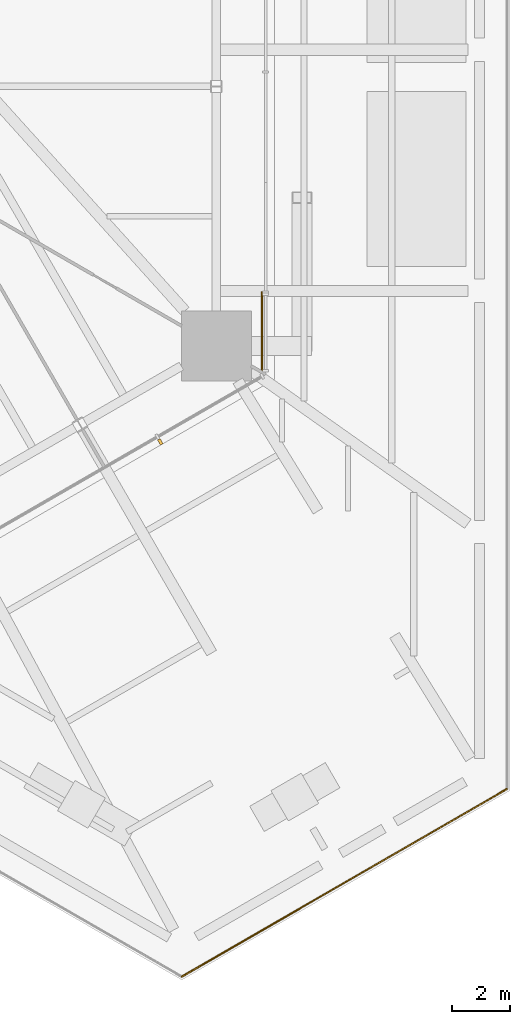
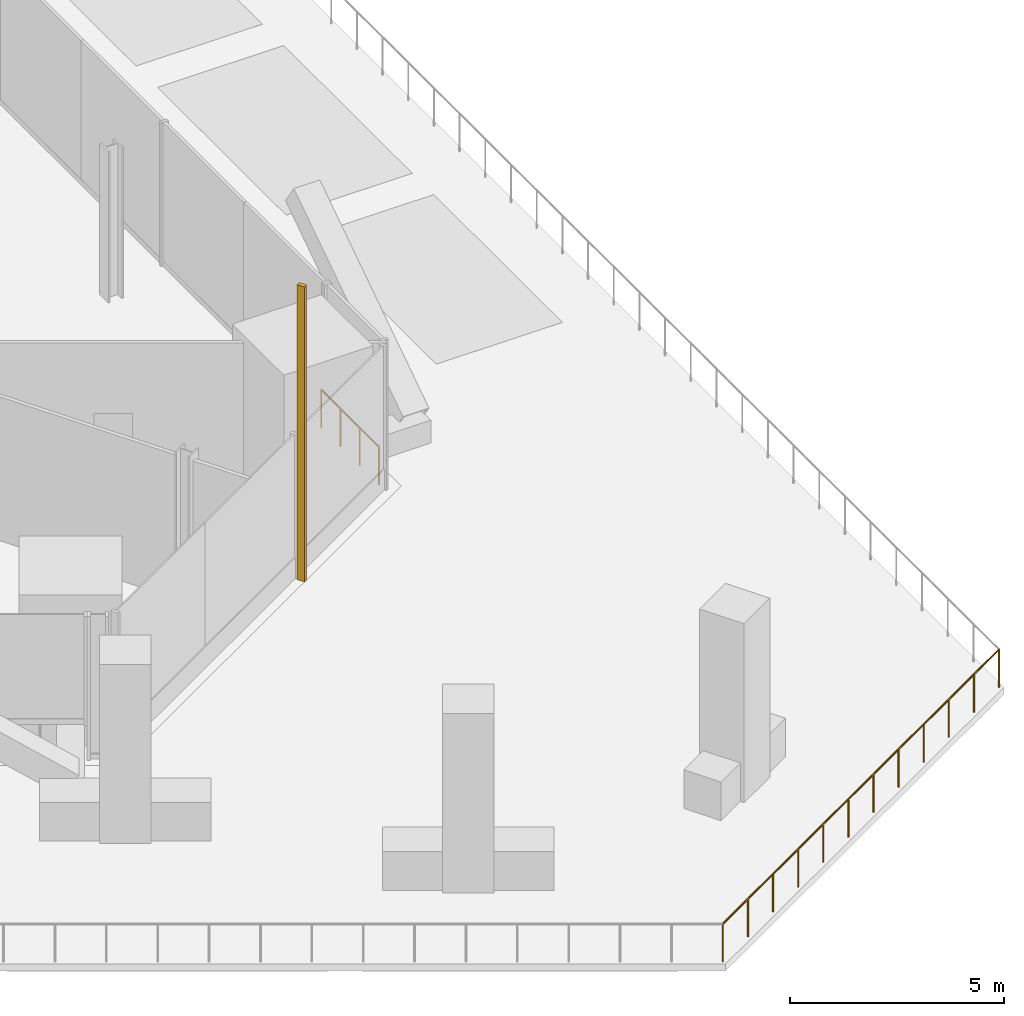
# One storey, part 33 of 38: 2 railings, 1 shading device.
"""IFC4 building model written with IfcOpenShell, lengths in metres."""

import ifcopenshell
import ifcopenshell.guid

model = None  # the IFC model being written
_history = None  # IfcOwnerHistory: only IFC2X3 demands one
_inside = {}  # id of a spatial element -> (the spatial element, [elements in it])
_under = {}  # id of a project, library or spatial element -> (it, [spatial elements below it])
_declared = {}  # id of a project -> (the project, [libraries it declares])
_typed = {}  # id of a type object -> (the type object, [elements of that type])
_made_of = {}  # id of a material, layer set ... -> (it, [elements and type objects made of it])


def new_model(schema):
    """Start an empty IFC model of exactly this schema.

    Asked for "IFC4X3", IfcOpenShell would pick the latest addendum, in which some entities
    have other attributes; the version numbers below select the first issue.
    IFC2X3 requires an IfcOwnerHistory on every rooted entity: one is made here for all.
    """
    global model, _history
    if schema == "IFC4X3":
        model = ifcopenshell.file(schema_version=(4, 3, 0, 0))
    else:
        model = ifcopenshell.file(schema=schema)
    _inside.clear()
    _under.clear()
    _declared.clear()
    _typed.clear()
    _made_of.clear()
    _history = None
    if model.schema == "IFC2X3":
        org = make("IfcOrganization", Name="unknown")
        user = make(
            "IfcPersonAndOrganization",
            ThePerson=make("IfcPerson", FamilyName="unknown"),
            TheOrganization=org,
        )
        app = make(
            "IfcApplication",
            ApplicationDeveloper=org,
            Version="unknown",
            ApplicationFullName="unknown",
            ApplicationIdentifier="unknown",
        )
        _history = make(
            "IfcOwnerHistory",
            OwningUser=user,
            OwningApplication=app,
            ChangeAction="ADDED",
            CreationDate=0,
        )
    return model


def make(cls, **values):
    """One entity of the class cls with the attributes given. An attribute that is None is left unset."""
    return model.create_entity(
        cls, **{name: value for name, value in values.items() if value is not None}
    )


def rooted(cls, **values):
    """An entity with a GlobalId (a new one), such as an element, a storey or a relation."""
    return make(cls, GlobalId=ifcopenshell.guid.new(), OwnerHistory=_history, **values)


def si_unit(unit_type, name, prefix=None):
    """IfcSIUnit, for example si_unit("LENGTHUNIT", "METRE", prefix="MILLI")."""
    return make("IfcSIUnit", UnitType=unit_type, Prefix=prefix, Name=name)


def assignment(units):
    """IfcUnitAssignment: the units of a project."""
    return None if units is None else make("IfcUnitAssignment", Units=units)


def point(xyz):
    """IfcCartesianPoint."""
    return None if xyz is None else make("IfcCartesianPoint", Coordinates=xyz)


def direction(xyz):
    """IfcDirection."""
    return None if xyz is None else make("IfcDirection", DirectionRatios=xyz)


def frame(location, z_axis=None, x_axis=None):
    """IfcAxis2Placement3D, a coordinate frame: its origin and axes. An axis left out is left unset."""
    return make(
        "IfcAxis2Placement3D",
        Location=point(location),
        Axis=direction(z_axis),
        RefDirection=direction(x_axis),
    )


def frame_2d(location, x_axis=None):
    """IfcAxis2Placement2D, a coordinate frame in the plane: its origin and x axis."""
    return make(
        "IfcAxis2Placement2D", Location=point(location), RefDirection=direction(x_axis)
    )


def origin():
    """The frame at (0, 0, 0) with its axes left unset."""
    return frame((0.0, 0.0, 0.0))


def origin_2d():
    """The frame at (0, 0) in the plane with its x axis left unset."""
    return frame_2d((0.0, 0.0))


def place(relative_to, where):
    """IfcLocalPlacement: puts the frame where relative to a parent placement (None: the world)."""
    return make(
        "IfcLocalPlacement", PlacementRelTo=relative_to, RelativePlacement=where
    )


def context(
    kind, dimensions, precision=None, world=None, true_north=None, identifier=None
):
    """IfcGeometricRepresentationContext, for example the 3D "Model" context."""
    return make(
        "IfcGeometricRepresentationContext",
        ContextIdentifier=identifier,
        ContextType=kind,
        CoordinateSpaceDimension=dimensions,
        Precision=precision,
        WorldCoordinateSystem=world,
        TrueNorth=true_north,
    )


def subcontext(parent, identifier, kind, view, scale=None):
    """IfcGeometricRepresentationSubContext, for example "Body" below "Model"."""
    return make(
        "IfcGeometricRepresentationSubContext",
        ContextIdentifier=identifier,
        ContextType=kind,
        ParentContext=parent,
        TargetScale=scale,
        TargetView=view,
    )


def project(units=None, contexts=None):
    """IfcProject with its units and contexts."""
    return rooted(
        "IfcProject",
        Name="project",
        RepresentationContexts=contexts,
        UnitsInContext=assignment(units),
    )


def spatial(cls, under=None, at=None, **own):
    """A site, building, storey or space (cls), placed at a placement, below another one or the project."""
    s = rooted(cls, ObjectPlacement=at, **own)
    if under is not None:
        _under.setdefault(under.id(), (under, []))[1].append(s)
    return s


def profile(cls, at=None, kind="AREA", **sizes):
    """A parametric profile (cls). Its sizes go by their IFC names, for example OverallWidth=200.0."""
    return make(cls, ProfileType=kind, Position=at, **sizes)


def rectangle(**sizes):
    """IfcRectangleProfileDef."""
    return profile("IfcRectangleProfileDef", **sizes)


def circle(**sizes):
    """IfcCircleProfileDef."""
    return profile("IfcCircleProfileDef", **sizes)


def extrude(swept, where, along, depth):
    """IfcExtrudedAreaSolid: the profile swept, set in the frame where, extruded along a direction by depth."""
    return make(
        "IfcExtrudedAreaSolid",
        SweptArea=swept,
        Position=where,
        ExtrudedDirection=direction(along),
        Depth=depth,
    )


def shape(context_of_items, identifier, shape_type, items):
    """IfcShapeRepresentation: the items that make up one representation, for example the "Body"."""
    return make(
        "IfcShapeRepresentation",
        ContextOfItems=context_of_items,
        RepresentationIdentifier=identifier,
        RepresentationType=shape_type,
        Items=items,
    )


def source(mapping_origin, context_of_items, identifier, shape_type, items):
    """IfcRepresentationMap: a shape defined once, which mapped items show again and again."""
    return make(
        "IfcRepresentationMap",
        MappingOrigin=mapping_origin,
        MappedRepresentation=shape(context_of_items, identifier, shape_type, items),
    )


def transform(
    local_origin,
    x_axis=None,
    y_axis=None,
    z_axis=None,
    scale=None,
    scale2=None,
    scale3=None,
    uniform=True,
):
    """IfcCartesianTransformationOperator3D, or its non-uniform kind. x_axis, y_axis, z_axis: its Axis1, 2, 3."""
    if uniform:
        return make(
            "IfcCartesianTransformationOperator3D",
            Axis1=direction(x_axis),
            Axis2=direction(y_axis),
            LocalOrigin=point(local_origin),
            Scale=scale,
            Axis3=direction(z_axis),
        )
    return make(
        "IfcCartesianTransformationOperator3DnonUniform",
        Axis1=direction(x_axis),
        Axis2=direction(y_axis),
        LocalOrigin=point(local_origin),
        Scale=scale,
        Axis3=direction(z_axis),
        Scale2=scale2,
        Scale3=scale3,
    )


def mapped(mapping_source, mapping_target):
    """IfcMappedItem: shows the shape of a source again, moved by a transform."""
    return make(
        "IfcMappedItem", MappingSource=mapping_source, MappingTarget=mapping_target
    )


def material(Name=None, Category=None):
    """IfcMaterial."""
    return make("IfcMaterial", Name=Name, Category=Category)


def made_of(thing, what):
    """Note that an element or type object is made of a material, layer set ...; save() writes the relation."""
    if what is not None:
        _made_of.setdefault(what.id(), (what, []))[1].append(thing)
    return thing


def type_object(cls, material=None, **own):
    """A type object (cls), such as IfcWallType, which elements share."""
    return made_of(rooted(cls, **own), material)


def element(
    cls,
    number,
    at=None,
    inside=None,
    cuts=None,
    type_object=None,
    material=None,
    context=None,
    identifier="Body",
    shape_type=None,
    held_by="IfcProductDefinitionShape",
    body=None,
    shapes=None,
    **own,
):
    """One element of the class cls, such as IfcWall. Its Tag is "e" and its number.

    at: its placement. inside: the storey or other place that contains it. cuts: it is an
    opening in that element (IfcRelVoidsElement). A single representation is given by context,
    identifier, shape_type and body (its items); several are given by shapes. held_by: the class
    of the entity that holds the representations. save() writes the other relations.
    """
    e = rooted(cls, Tag="e%d" % number, ObjectPlacement=at, **own)
    if body is not None:
        shapes = [shape(context, identifier, shape_type, body)]
    if shapes is not None:
        e.Representation = make(held_by, Representations=shapes)
    if inside is not None:
        _inside.setdefault(inside.id(), (inside, []))[1].append(e)
    if cuts is not None:
        rooted(
            "IfcRelVoidsElement", RelatingBuildingElement=cuts, RelatedOpeningElement=e
        )
    if type_object is not None:
        _typed.setdefault(type_object.id(), (type_object, []))[1].append(e)
    return made_of(e, material)


def aggregate(whole, parts):
    """IfcRelAggregates: a whole, such as a stair, and the parts it consists of."""
    return rooted("IfcRelAggregates", RelatingObject=whole, RelatedObjects=parts)


def save(model, path):
    """Write the relations noted so far, then the file.

    IfcRelAggregates (storeys below a building ...), IfcRelContainedInSpatialStructure (elements
    in a storey), IfcRelDefinesByType, IfcRelAssociatesMaterial and IfcRelDeclares: one each for
    every whole, place, type object, material and project.
    """
    for whole, parts in _under.values():
        aggregate(whole, parts)
    for where, things in _inside.values():
        rooted(
            "IfcRelContainedInSpatialStructure",
            RelatedElements=things,
            RelatingStructure=where,
        )
    for kind, things in _typed.values():
        rooted("IfcRelDefinesByType", RelatedObjects=things, RelatingType=kind)
    for what, things in _made_of.values():
        rooted("IfcRelAssociatesMaterial", RelatedObjects=things, RelatingMaterial=what)
    for by, libraries in _declared.values():
        rooted("IfcRelDeclares", RelatingContext=by, RelatedDefinitions=libraries)
    model.write(path)


model = new_model("IFC4")

# Units and contexts
model_context = context("Model", 3, precision=1e-05, world=origin(), true_north=direction((0.0, 1.0)))
body_context = subcontext(model_context, "Body", "Model", "MODEL_VIEW")
ifc_project = project(units=[si_unit("LENGTHUNIT", "METRE"), si_unit("AREAUNIT", "SQUARE_METRE"), si_unit("VOLUMEUNIT", "CUBIC_METRE"), si_unit("PLANEANGLEUNIT", "RADIAN"), si_unit("MASSUNIT", "GRAM", prefix="KILO")], contexts=[model_context])

# Site, building, storey
site_placement = place(None, origin())
site = spatial("IfcSite", under=ifc_project, at=site_placement, CompositionType="ELEMENT")
building_placement = place(site_placement, origin())
building = spatial("IfcBuilding", under=site, at=building_placement, Name="Triune Harvest Tower", CompositionType="ELEMENT")
storey_placement = place(building_placement, frame((0.0, 0.0, 16.0)))
storey = spatial("IfcBuildingStorey", under=building, at=storey_placement, Name="L03", CompositionType="ELEMENT", Elevation=16.0)

# Railings
ifc_material_1 = material(Name="Steel ASTM A992 Gr 50", Category="steel")
railing_type_1 = type_object("IfcRailingType", Name="GD-1 terrace guard 1100", PredefinedType="GUARDRAIL", material=ifc_material_1)
railing_1_placement = place(storey_placement, frame((31.654296875, -41.9423828125, 0.0)))
element("IfcRailing", 1, at=railing_1_placement, inside=storey, type_object=railing_type_1, Name="Terrace guard 1", PredefinedType="GUARDRAIL", context=body_context, shape_type="SweptSolid", body=[
    extrude(circle(Radius=0.02392578125, at=origin_2d()), frame((0.0, 0.0, 1.076171875), z_axis=(-0.866031918802, -0.499988715489, 0.0), x_axis=(0.499988715489, -0.866031918802, 0.0)), (0.0, 0.0, 1.0), 12.884521484375),
    extrude(circle(Radius=0.02099609375, at=origin_2d()), origin(), (0.0, 0.0, 1.0), 1.052001953125),
    extrude(circle(Radius=0.02099609375, at=origin_2d()), frame((-1.014404296875, -0.585693359375, 0.0)), (0.0, 0.0, 1.0), 1.052001953125),
    extrude(circle(Radius=0.02099609375, at=origin_2d()), frame((-2.02880859375, -1.17138671875, 0.0)), (0.0, 0.0, 1.0), 1.052001953125),
    extrude(circle(Radius=0.02099609375, at=origin_2d()), frame((-3.043212890625, -1.7568359375, 0.0)), (0.0, 0.0, 1.0), 1.052001953125),
    extrude(circle(Radius=0.02099609375, at=origin_2d()), frame((-4.0576171875, -2.342529296875, 0.0)), (0.0, 0.0, 1.0), 1.052001953125),
    extrude(circle(Radius=0.02099609375, at=origin_2d()), frame((-5.072021484375, -2.92822265625, 0.0)), (0.0, 0.0, 1.0), 1.052001953125),
    extrude(circle(Radius=0.02099609375, at=origin_2d()), frame((-6.08642578125, -3.513916015625, 0.0)), (0.0, 0.0, 1.0), 1.052001953125),
    extrude(circle(Radius=0.02099609375, at=origin_2d()), frame((-7.100830078125, -4.099609375, 0.0)), (0.0, 0.0, 1.0), 1.052001953125),
    extrude(circle(Radius=0.02099609375, at=origin_2d()), frame((-8.115234375, -4.685302734375, 0.0)), (0.0, 0.0, 1.0), 1.052001953125),
    extrude(circle(Radius=0.02099609375, at=origin_2d()), frame((-9.129638671875, -5.270751953125, 0.0)), (0.0, 0.0, 1.0), 1.052001953125),
    extrude(circle(Radius=0.02099609375, at=origin_2d()), frame((-10.14404296875, -5.8564453125, 0.0)), (0.0, 0.0, 1.0), 1.052001953125),
    extrude(circle(Radius=0.02099609375, at=origin_2d()), frame((-11.158447265625, -6.442138671875, 0.0)), (0.0, 0.0, 1.0), 1.052001953125),
])
ifc_material_2 = material(Name="Glass", Category="glass")
railing_type_2 = type_object("IfcRailingType", Name="GD-3 facade guard 1100", PredefinedType="GUARDRAIL", material=ifc_material_2)
railing_2_placement = place(storey_placement, frame((23.247314453125, -27.579345703125, 0.0)))
element("IfcRailing", 2, at=railing_2_placement, inside=storey, type_object=railing_type_2, Name="Facade guard B1-F1 L03.1.1", PredefinedType="GUARDRAIL", context=body_context, shape_type="SweptSolid", body=[
    extrude(circle(Radius=0.02392578125, at=origin_2d()), frame((0.0, 0.0, 1.076171875), z_axis=(0.0, 1.0, 0.0), x_axis=(-1.0, 0.0, 0.0)), (0.0, 0.0, 1.0), 2.696044921875),
    extrude(circle(Radius=0.02099609375, at=origin_2d()), origin(), (0.0, 0.0, 1.0), 1.052001953125),
    extrude(circle(Radius=0.02099609375, at=origin_2d()), frame((0.0, 0.898681640625, 0.0)), (0.0, 0.0, 1.0), 1.052001953125),
    extrude(circle(Radius=0.02099609375, at=origin_2d()), frame((0.0, 1.79736328125, 0.0)), (0.0, 0.0, 1.0), 1.052001953125),
    extrude(circle(Radius=0.02099609375, at=origin_2d()), frame((0.0, 2.696044921875, 0.0)), (0.0, 0.0, 1.0), 1.052001953125),
])

# Shading device
ifc_material_3 = material(Name="Aluminium bronze anodised", Category="aluminium")
shared_shape = source(origin(), body_context, "Body", "SweptSolid", [
    extrude(rectangle(XDim=0.10009765625, YDim=0.199951171875, at=origin_2d()), origin(), (0.0, 0.0, 1.0), 8.39990234375),
])
shading_device_placement = place(storey_placement, frame((19.758056640625, -30.02392578125, 0.0), z_axis=(0.0, 0.0, 1.0), x_axis=(0.866026145592, 0.499998715149, 0.0)))
element("IfcShadingDevice", 3, at=shading_device_placement, inside=storey, material=ifc_material_3, Name="FN-1 fin B1-F6.3 L03", ObjectType="FIN", PredefinedType="USERDEFINED", context=body_context, shape_type="MappedRepresentation", body=[
    mapped(shared_shape, transform((0.0, 0.0, 0.0), scale=1.0)),
])

save(model, "model.ifc")
